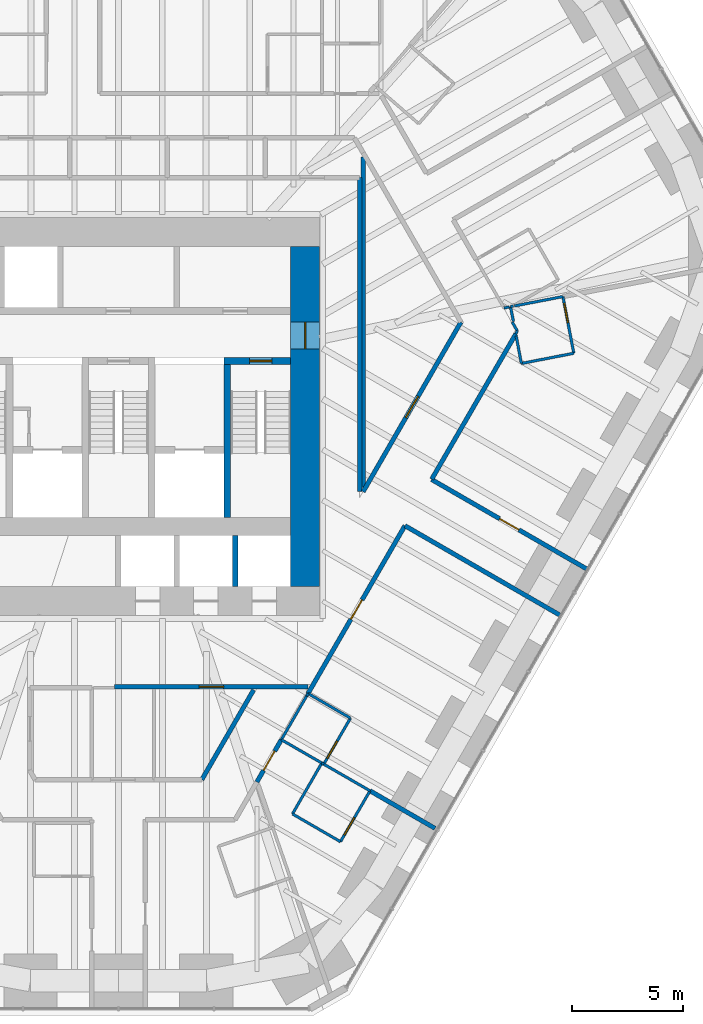
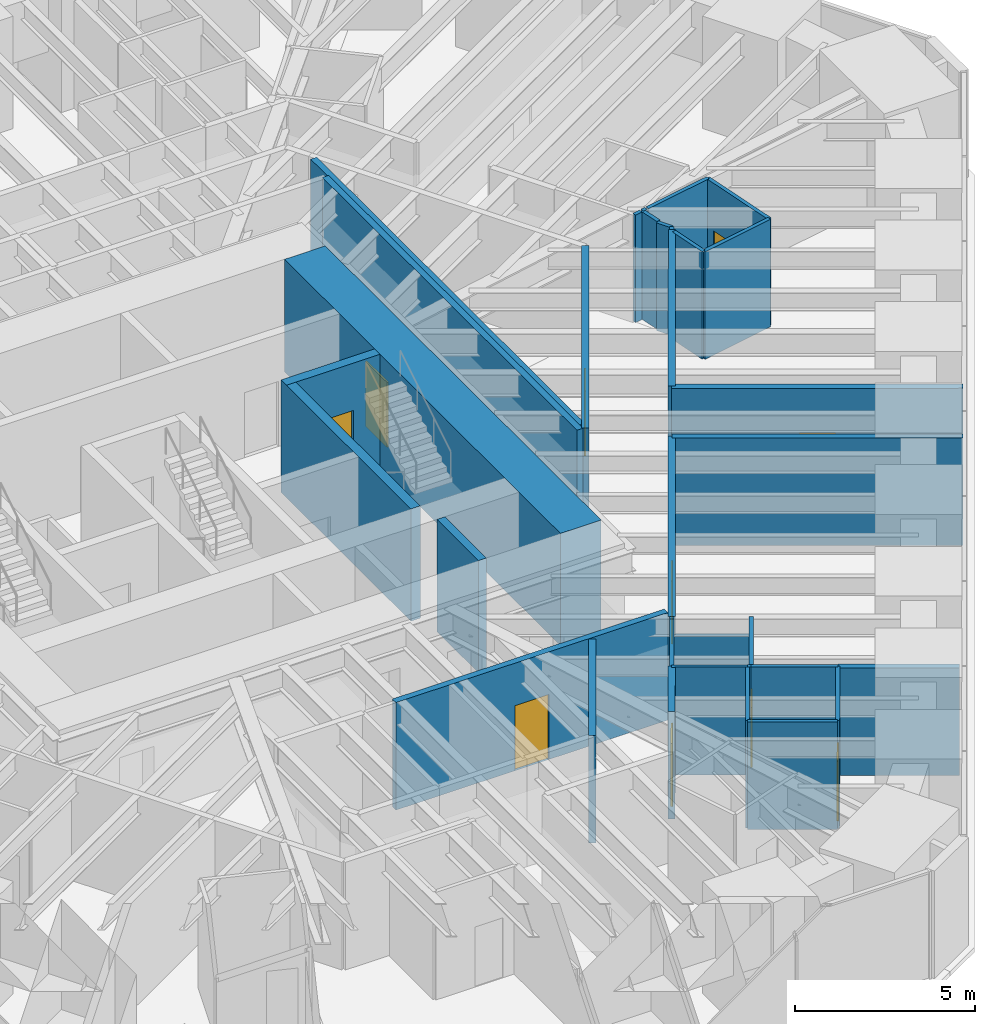
# One storey, part 13 of 17: 34 walls, 10 doors, 10 openings.
"""IFC4 building model written with IfcOpenShell, lengths in metres."""

from ifc_helpers import new_model, si_unit, direction, frame, frame_2d, origin, place, context, subcontext, project, spatial, rectangle, extrude, material, layer, layer_set, type_object, element, fill, save


model = new_model("IFC4")

# Units and contexts
model_context = context("Model", 3, precision=1e-05, world=origin(), true_north=direction((0.0, 1.0)))
body_context = subcontext(model_context, "Body", "Model", "MODEL_VIEW")
ifc_project = project(units=[si_unit("LENGTHUNIT", "METRE"), si_unit("AREAUNIT", "SQUARE_METRE"), si_unit("VOLUMEUNIT", "CUBIC_METRE"), si_unit("PLANEANGLEUNIT", "RADIAN"), si_unit("MASSUNIT", "GRAM", prefix="KILO")], contexts=[model_context])

# Site, building, storey
site_placement = place(None, origin())
site = spatial("IfcSite", under=ifc_project, at=site_placement, CompositionType="ELEMENT")
building_placement = place(site_placement, origin())
building = spatial("IfcBuilding", under=site, at=building_placement, Name="Sandreach Pilgrim Tower", CompositionType="ELEMENT")
storey_placement = place(building_placement, frame((0.0, 0.0, 100.60009765625)))
storey = spatial("IfcBuildingStorey", under=building, at=storey_placement, Name="L24", CompositionType="ELEMENT", Elevation=100.60009765625)

# Walls
ifc_material_1 = material(Name="Moisture-resistant gypsum board on steel studs", Category="steel")
ifc_layer_1 = layer(ifc_material_1, 0.1201171875)
ifc_layer_set_1 = layer_set([ifc_layer_1], Name="Bathroom partition 120")
wall_type_1 = type_object("IfcWallType", Name="Bathroom partition 120", PredefinedType="PARTITIONING", material=ifc_layer_set_1)
wall_1_placement = place(storey_placement, frame((7.330078125, -16.090087890625, 0.0), z_axis=(0.0, 0.0, 1.0), x_axis=(0.500786797394, 0.865570669302, 0.0)))
element("IfcWall", 1, at=wall_1_placement, inside=storey, type_object=wall_type_1, Name="Bathroom partition L24-106", PredefinedType="PARTITIONING", context=body_context, shape_type="SweptSolid", body=[
    extrude(rectangle(XDim=2.276123046875, YDim=0.1201171875, at=frame_2d((1.13818359375, 0.0))), origin(), (0.0, 0.0, 1.0), 3.639892578125),
])
wall_2_placement = place(storey_placement, frame((7.330078125, -16.090087890625, 0.0), z_axis=(0.0, 0.0, 1.0), x_axis=(0.86618365172, -0.499725806311, 0.0)))
element("IfcWall", 2, at=wall_2_placement, inside=storey, type_object=wall_type_1, Name="Bathroom partition L24-107", PredefinedType="PARTITIONING", context=body_context, shape_type="SweptSolid", body=[
    extrude(rectangle(XDim=2.101318359375, YDim=0.1201171875, at=frame_2d((1.05078125, 0.0))), origin(), (0.0, 0.0, 1.0), 3.639892578125),
])
wall_3_placement = place(storey_placement, frame((7.830078125, -19.429931640625, 0.0), z_axis=(0.0, 0.0, 1.0), x_axis=(0.865508881864, -0.500893576935, 0.0)))
element("IfcWall", 3, at=wall_3_placement, inside=storey, type_object=wall_type_1, Name="Bathroom partition L24-109", PredefinedType="PARTITIONING", context=body_context, shape_type="SweptSolid", body=[
    extrude(rectangle(XDim=2.49560546875, YDim=0.1201171875, at=frame_2d((1.247802734375, 0.0))), origin(), (0.0, 0.0, 1.0), 3.639892578125),
])
wall_4_placement = place(storey_placement, frame((8.469970703125, -14.1201171875, 0.0), z_axis=(0.0, 0.0, 1.0), x_axis=(0.478852130681, 0.877895572914, 0.0)))
element("IfcWall", 4, at=wall_4_placement, inside=storey, type_object=wall_type_1, Name="Bathroom partition L24-110", PredefinedType="PARTITIONING", context=body_context, shape_type="SweptSolid", body=[
    extrude(rectangle(XDim=0.12548828125, YDim=0.1201171875, at=frame_2d((0.062744140625, 0.0))), origin(), (0.0, 0.0, 1.0), 3.639892578125),
])
wall_5_placement = place(storey_placement, frame((9.14990234375, -17.139892578125, 0.0), z_axis=(0.0, 0.0, 1.0), x_axis=(-0.499338582192, -0.866406936915, 0.0)))
element("IfcWall", 5, at=wall_5_placement, inside=storey, type_object=wall_type_1, Name="Bathroom partition L24-113", PredefinedType="PARTITIONING", context=body_context, shape_type="SweptSolid", body=[
    extrude(rectangle(XDim=2.64306640625, YDim=0.1201171875, at=frame_2d((1.321533203125, 0.0))), origin(), (0.0, 0.0, 1.0), 3.639892578125),
])
wall_6_placement = place(storey_placement, frame((9.14990234375, -17.139892578125, 0.0), z_axis=(0.0, 0.0, 1.0), x_axis=(0.867366768559, -0.49766945737, 0.0)))
element("IfcWall", 6, at=wall_6_placement, inside=storey, type_object=wall_type_1, Name="Bathroom partition L24-114", PredefinedType="PARTITIONING", context=body_context, shape_type="SweptSolid", body=[
    extrude(rectangle(XDim=0.10302734375, YDim=0.1201171875, at=frame_2d((0.051513671875, 0.0))), origin(), (0.0, 0.0, 1.0), 3.639892578125),
])
wall_7_placement = place(storey_placement, frame((9.2392578125, -17.191162109375, 0.0), z_axis=(0.0, 0.0, 1.0), x_axis=(0.86649853798, -0.49917961064, 0.0)))
element("IfcWall", 7, at=wall_7_placement, inside=storey, type_object=wall_type_1, Name="Bathroom partition L24-122", PredefinedType="PARTITIONING", context=body_context, shape_type="SweptSolid", body=[
    extrude(rectangle(XDim=2.4013671875, YDim=0.1201171875, at=frame_2d((1.20068359375, 0.0))), origin(), (0.0, 0.0, 1.0), 3.639892578125),
])

# Wall, opening, door
wall_8_placement = place(storey_placement, frame((9.239990234375, -17.18994140625, 0.0), z_axis=(0.0, 0.0, 1.0), x_axis=(0.501502765098, 0.865156041763, 0.0)))
wall_8 = element("IfcWall", 8, at=wall_8_placement, inside=storey, type_object=wall_type_1, Name="Bathroom partition L24-123", PredefinedType="PARTITIONING", context=body_context, shape_type="SweptSolid", body=[
    extrude(rectangle(XDim=2.392822265625, YDim=0.1201171875, at=frame_2d((1.1962890625, 0.0))), origin(), (0.0, 0.0, 1.0), 3.639892578125),
])
opening_1_placement = place(wall_8_placement, frame((0.300048828125, 0.0, 0.0)))
opening_1 = element("IfcOpeningElement", 9, at=opening_1_placement, cuts=wall_8, Name="Opening D09-08B", PredefinedType="OPENING", context=body_context, shape_type="SweptSolid", body=[
    extrude(rectangle(XDim=0.89990234375, YDim=2.030029296875, at=frame_2d((0.449951171875, 1.01513671875))), frame((0.0, 0.06005859375, 0.0), z_axis=(0.0, -1.0, 0.0), x_axis=(1.0, 0.0, 0.0)), (0.0, 0.0, 1.0), 0.1201171875),
])
ifc_material_2 = material(Name="Timber door, steel frame", Category="steel")
door_type_1 = type_object("IfcDoorType", Name="Bathroom door", OperationType="SINGLE_SWING_LEFT", PredefinedType="DOOR", material=ifc_material_2)
door_1_placement = place(opening_1_placement, origin())
door_1 = element("IfcDoor", 10, at=door_1_placement, inside=storey, type_object=door_type_1, Name="Door 2408B", OperationType="SINGLE_SWING_LEFT", OverallHeight=2.030029296875, OverallWidth=0.89990234375, PredefinedType="DOOR", context=body_context, shape_type="SweptSolid", body=[
    extrude(rectangle(XDim=0.89990234375, YDim=2.030029296875, at=frame_2d((0.449951171875, 1.01513671875))), frame((0.0, 0.02490234375, 0.0), z_axis=(0.0, -1.0, 0.0), x_axis=(1.0, 0.0, 0.0)), (0.0, 0.0, 1.0), 0.050048828125),
])
fill(opening_1, door_1)

wall_9_placement = place(storey_placement, frame((9.989990234375, -20.679931640625, 0.0), z_axis=(0.0, 0.0, 1.0), x_axis=(0.502242265546, 0.864726954997, 0.0)))
wall_9 = element("IfcWall", 11, at=wall_9_placement, inside=storey, type_object=wall_type_1, Name="Bathroom partition L24-124", PredefinedType="PARTITIONING", context=body_context, shape_type="SweptSolid", body=[
    extrude(rectangle(XDim=2.648193359375, YDim=0.1201171875, at=frame_2d((1.32421875, 0.0))), origin(), (0.0, 0.0, 1.0), 3.639892578125),
])
opening_2_placement = place(wall_9_placement, frame((0.35009765625, 0.0, 0.0)))
opening_2 = element("IfcOpeningElement", 12, at=opening_2_placement, cuts=wall_9, Name="Opening D09-09B", PredefinedType="OPENING", context=body_context, shape_type="SweptSolid", body=[
    extrude(rectangle(XDim=0.89990234375, YDim=2.030029296875, at=frame_2d((0.449951171875, 1.01513671875))), frame((0.0, 0.06005859375, 0.0), z_axis=(0.0, -1.0, 0.0), x_axis=(1.0, 0.0, 0.0)), (0.0, 0.0, 1.0), 0.1201171875),
])
door_2_placement = place(opening_2_placement, origin())
door_2 = element("IfcDoor", 13, at=door_2_placement, inside=storey, type_object=door_type_1, Name="Door 2409B", OperationType="SINGLE_SWING_LEFT", OverallHeight=2.030029296875, OverallWidth=0.89990234375, PredefinedType="DOOR", context=body_context, shape_type="SweptSolid", body=[
    extrude(rectangle(XDim=0.89990234375, YDim=2.030029296875, at=frame_2d((0.449951171875, 1.01513671875))), frame((0.0, 0.02490234375, 0.0), z_axis=(0.0, -1.0, 0.0), x_axis=(1.0, 0.0, 0.0)), (0.0, 0.0, 1.0), 0.050048828125),
])
fill(opening_2, door_2)

# Walls
wall_10_placement = place(storey_placement, frame((10.43994140625, -15.1201171875, 0.0), z_axis=(0.0, 0.0, 1.0), x_axis=(-0.864567486339, 0.502516727647, 0.0)))
element("IfcWall", 14, at=wall_10_placement, inside=storey, type_object=wall_type_1, Name="Bathroom partition L24-125", PredefinedType="PARTITIONING", context=body_context, shape_type="SweptSolid", body=[
    extrude(rectangle(XDim=2.208984375, YDim=0.1201171875, at=frame_2d((1.1044921875, 0.0))), origin(), (0.0, 0.0, 1.0), 3.022705078125),
])
wall_11_placement = place(storey_placement, frame((17.58203125, 3.383544921875, 0.0), z_axis=(0.0, 0.0, 1.0), x_axis=(-0.982006446981, -0.18884739365, 0.0)))
element("IfcWall", 15, at=wall_11_placement, inside=storey, type_object=wall_type_1, Name="Bathroom partition L24-149", PredefinedType="PARTITIONING", context=body_context, shape_type="SweptSolid", body=[
    extrude(rectangle(XDim=0.2392578125, YDim=0.1201171875, at=frame_2d((0.11962890625, 0.0))), origin(), (0.0, 0.0, 1.0), 3.639892578125),
])
wall_12_placement = place(storey_placement, frame((17.639892578125, 3.39990234375, 0.0), z_axis=(0.0, 0.0, 1.0), x_axis=(0.988371697651, 0.152057184254, 0.0)))
element("IfcWall", 16, at=wall_12_placement, inside=storey, type_object=wall_type_1, Name="Bathroom partition L24-150", PredefinedType="PARTITIONING", context=body_context, shape_type="SweptSolid", body=[
    extrude(rectangle(XDim=0.131591796875, YDim=0.1201171875, at=frame_2d((0.06591796875, 0.0))), origin(), (0.0, 0.0, 1.0), 3.639892578125),
])
wall_13_placement = place(storey_placement, frame((17.719970703125, 2.699951171875, 0.0), z_axis=(0.0, 0.0, 1.0), x_axis=(0.498530782172, -0.866871997025, 0.0)))
element("IfcWall", 17, at=wall_13_placement, inside=storey, type_object=wall_type_1, Name="Bathroom partition L24-151", PredefinedType="PARTITIONING", context=body_context, shape_type="SweptSolid", body=[
    extrude(rectangle(XDim=0.46142578125, YDim=0.1201171875, at=frame_2d((0.230712890625, 0.0))), origin(), (0.0, 0.0, 1.0), 3.639892578125),
])
wall_14_placement = place(storey_placement, frame((17.773681640625, 2.7314453125, 0.0), z_axis=(0.0, 0.0, 1.0), x_axis=(-0.196253874553, 0.980553117747, 0.0)))
element("IfcWall", 18, at=wall_14_placement, inside=storey, type_object=wall_type_1, Name="Bathroom partition L24-153", PredefinedType="PARTITIONING", context=body_context, shape_type="SweptSolid", body=[
    extrude(rectangle(XDim=0.681640625, YDim=0.1201171875, at=frame_2d((0.3408203125, 0.0))), origin(), (0.0, 0.0, 1.0), 3.639892578125),
])
wall_15_placement = place(storey_placement, frame((17.814208984375, 3.428466796875, 0.0), z_axis=(0.0, 0.0, 1.0), x_axis=(0.981899119444, 0.189404644173, 0.0)))
element("IfcWall", 19, at=wall_15_placement, inside=storey, type_object=wall_type_1, Name="Bathroom partition L24-154", PredefinedType="PARTITIONING", context=body_context, shape_type="SweptSolid", body=[
    extrude(rectangle(XDim=2.22607421875, YDim=0.1201171875, at=frame_2d((1.113037109375, 0.0))), origin(), (0.0, 0.0, 1.0), 3.639892578125),
])
wall_16_placement = place(storey_placement, frame((17.8798828125, 2.169921875, 0.0), z_axis=(0.0, 0.0, 1.0), x_axis=(0.474099823035, 0.880471099922, 0.0)))
element("IfcWall", 20, at=wall_16_placement, inside=storey, type_object=wall_type_1, Name="Bathroom partition L24-155", PredefinedType="PARTITIONING", context=body_context, shape_type="SweptSolid", body=[
    extrude(rectangle(XDim=0.147705078125, YDim=0.1201171875, at=frame_2d((0.07373046875, 0.0))), origin(), (0.0, 0.0, 1.0), 3.639892578125),
])
wall_17_placement = place(storey_placement, frame((17.896728515625, 2.08154296875, 0.0), z_axis=(0.0, 0.0, 1.0), x_axis=(0.184580266957, -0.982817442382, 0.0)))
element("IfcWall", 21, at=wall_17_placement, inside=storey, type_object=wall_type_1, Name="Bathroom partition L24-156", PredefinedType="PARTITIONING", context=body_context, shape_type="SweptSolid", body=[
    extrude(rectangle(XDim=1.26318359375, YDim=0.1201171875, at=frame_2d((0.631591796875, 0.0))), origin(), (0.0, 0.0, 1.0), 3.639892578125),
])
wall_18_placement = place(storey_placement, frame((18.1298828125, 0.840087890625, 0.0), z_axis=(0.0, 0.0, 1.0), x_axis=(0.981533392326, 0.191290877329, 0.0)))
element("IfcWall", 22, at=wall_18_placement, inside=storey, type_object=wall_type_1, Name="Bathroom partition L24-157", PredefinedType="PARTITIONING", context=body_context, shape_type="SweptSolid", body=[
    extrude(rectangle(XDim=2.404541015625, YDim=0.1201171875, at=frame_2d((1.2021484375, 0.0))), origin(), (0.0, 0.0, 1.0), 3.639892578125),
])

# Wall, opening, door
wall_19_placement = place(storey_placement, frame((20.489990234375, 1.300048828125, 0.0), z_axis=(0.0, 0.0, 1.0), x_axis=(-0.188697442844, 0.982035271802, 0.0)))
wall_19 = element("IfcWall", 23, at=wall_19_placement, inside=storey, type_object=wall_type_1, Name="Bathroom partition L24-161", PredefinedType="PARTITIONING", context=body_context, shape_type="SweptSolid", body=[
    extrude(rectangle(XDim=2.5966796875, YDim=0.1201171875, at=frame_2d((1.29833984375, 0.0))), origin(), (0.0, 0.0, 1.0), 3.639892578125),
])
opening_3_placement = place(wall_19_placement, frame((1.396728515625, 0.0, 0.0)))
opening_3 = element("IfcOpeningElement", 24, at=opening_3_placement, cuts=wall_19, Name="Opening D09-07B", PredefinedType="OPENING", context=body_context, shape_type="SweptSolid", body=[
    extrude(rectangle(XDim=0.89990234375, YDim=2.030029296875, at=frame_2d((0.449951171875, 1.01513671875))), frame((0.0, 0.06005859375, 0.0), z_axis=(0.0, -1.0, 0.0), x_axis=(1.0, 0.0, 0.0)), (0.0, 0.0, 1.0), 0.1201171875),
])
door_3_placement = place(opening_3_placement, origin())
door_3 = element("IfcDoor", 25, at=door_3_placement, inside=storey, type_object=door_type_1, Name="Door 2407B", OperationType="SINGLE_SWING_RIGHT", OverallHeight=2.030029296875, OverallWidth=0.89990234375, PredefinedType="DOOR", context=body_context, shape_type="SweptSolid", body=[
    extrude(rectangle(XDim=0.89990234375, YDim=2.030029296875, at=frame_2d((0.449951171875, 1.01513671875))), frame((0.0, 0.02490234375, 0.0), z_axis=(0.0, -1.0, 0.0), x_axis=(1.0, 0.0, 0.0)), (0.0, 0.0, 1.0), 0.050048828125),
])
fill(opening_3, door_3)

# Wall
ifc_material_3 = material(Name="Concrete 10000 psi", Category="concrete")
ifc_layer_2 = layer(ifc_material_3, 0.300048828125)
ifc_layer_set_2 = layer_set([ifc_layer_2], Name="Core inner wall 300")
wall_type_2 = type_object("IfcWallType", Name="Core inner wall 300", PredefinedType="SHEAR", material=ifc_layer_set_2)
wall_20_placement = place(storey_placement, frame((4.89990234375, -6.10009765625, 0.0), z_axis=(0.0, 0.0, 1.0), x_axis=(0.0, 1.0, 0.0)))
element("IfcWall", 26, at=wall_20_placement, inside=storey, type_object=wall_type_2, Name="Core wall I3 L24", PredefinedType="SHEAR", context=body_context, shape_type="SweptSolid", body=[
    extrude(rectangle(XDim=7.2001953125, YDim=0.300048828125, at=frame_2d((3.60009765625, 0.0))), origin(), (0.0, 0.0, 1.0), 3.7998046875),
])

# Wall, opening, door
wall_21_placement = place(storey_placement, frame((4.75, 0.949951171875, 0.0), z_axis=(0.0, 0.0, 1.0), x_axis=(1.0, 0.0, 0.0)))
wall_21 = element("IfcWall", 27, at=wall_21_placement, inside=storey, type_object=wall_type_2, Name="Core wall SN2 L24", PredefinedType="SHEAR", context=body_context, shape_type="SweptSolid", body=[
    extrude(rectangle(XDim=3.0, YDim=0.300048828125, at=frame_2d((1.5, 0.0))), origin(), (0.0, 0.0, 1.0), 3.7998046875),
])
opening_4_placement = place(wall_21_placement, frame((1.14990234375, 0.0, 0.0)))
opening_4 = element("IfcOpeningElement", 28, at=opening_4_placement, cuts=wall_21, Name="Opening D10S-ST2", PredefinedType="OPENING", context=body_context, shape_type="SweptSolid", body=[
    extrude(rectangle(XDim=1.0, YDim=2.199951171875, at=frame_2d((0.5, 1.10009765625))), frame((0.0, 0.14990234375, 0.0), z_axis=(0.0, -1.0, 0.0), x_axis=(1.0, 0.0, 0.0)), (0.0, 0.0, 1.0), 0.300048828125),
])
ifc_material_4 = material(Name="Steel door and frame", Category="steel")
door_type_2 = type_object("IfcDoorType", Name="Stair door", OperationType="SINGLE_SWING_LEFT", PredefinedType="DOOR", material=ifc_material_4)
door_4_placement = place(opening_4_placement, origin())
door_4 = element("IfcDoor", 29, at=door_4_placement, inside=storey, type_object=door_type_2, Name="Stair door ST2 L24", OperationType="SINGLE_SWING_RIGHT", OverallHeight=2.199951171875, OverallWidth=1.0, PredefinedType="DOOR", context=body_context, shape_type="SweptSolid", body=[
    extrude(rectangle(XDim=1.0, YDim=2.199951171875, at=frame_2d((0.5, 1.10009765625))), frame((0.0, 0.02490234375, 0.0), z_axis=(0.0, -1.0, 0.0), x_axis=(1.0, 0.0, 0.0)), (0.0, 0.0, 1.0), 0.050048828125),
])
fill(opening_4, door_4)

ifc_material_5 = material(Name="Concrete 10000 psi", Category="concrete")
ifc_layer_3 = layer(ifc_material_5, 1.300048828125)
ifc_layer_set_3 = layer_set([ifc_layer_3], Name="Core wall 1300")
wall_type_3 = type_object("IfcWallType", Name="Core wall 1300", PredefinedType="SHEAR", material=ifc_layer_set_3)
wall_22_placement = place(storey_placement, frame((8.39990234375, -9.199951171875, 0.0), z_axis=(0.0, 0.0, 1.0), x_axis=(0.0, 1.0, 0.0)))
wall_22 = element("IfcWall", 30, at=wall_22_placement, inside=storey, type_object=wall_type_3, Name="Core wall E L24", PredefinedType="SHEAR", context=body_context, shape_type="SweptSolid", body=[
    extrude(rectangle(XDim=15.300048828125, YDim=1.300048828125, at=frame_2d((7.64990234375, 0.0))), origin(), (0.0, 0.0, 1.0), 3.7998046875),
])
opening_5_placement = place(wall_22_placement, frame((10.699951171875, 0.0, 0.0)))
opening_5 = element("IfcOpeningElement", 31, at=opening_5_placement, cuts=wall_22, Name="Opening D12F-E", PredefinedType="OPENING", context=body_context, shape_type="SweptSolid", body=[
    extrude(rectangle(XDim=1.199951171875, YDim=2.199951171875, at=frame_2d((0.60009765625, 1.10009765625))), frame((0.0, 0.64990234375, 0.0), z_axis=(0.0, -1.0, 0.0), x_axis=(1.0, 0.0, 0.0)), (0.0, 0.0, 1.0), 1.300048828125),
])
ifc_material_6 = material(Name="Steel door and frame", Category="steel")
door_type_3 = type_object("IfcDoorType", Name="Fire lobby door", OperationType="SINGLE_SWING_LEFT", PredefinedType="DOOR", material=ifc_material_6)
door_5_placement = place(opening_5_placement, origin())
door_5 = element("IfcDoor", 32, at=door_5_placement, inside=storey, type_object=door_type_3, Name="Fire service lobby door E L24", OperationType="SINGLE_SWING_RIGHT", OverallHeight=2.199951171875, OverallWidth=1.199951171875, PredefinedType="DOOR", context=body_context, shape_type="SweptSolid", body=[
    extrude(rectangle(XDim=1.199951171875, YDim=2.199951171875, at=frame_2d((0.60009765625, 1.10009765625))), frame((0.0, 0.02490234375, 0.0), z_axis=(0.0, -1.0, 0.0), x_axis=(1.0, 0.0, 0.0)), (0.0, 0.0, 1.0), 0.050048828125),
])
fill(opening_5, door_5)

# Wall
ifc_material_7 = material(Name="Gypsum board on steel studs, two layers each side", Category="steel")
ifc_layer_4 = layer(ifc_material_7, 0.199951171875)
ifc_layer_set_4 = layer_set([ifc_layer_4], Name="Corridor wall 200")
wall_type_4 = type_object("IfcWallType", Name="Corridor wall 200", PredefinedType="PARTITIONING", material=ifc_layer_set_4)
wall_23_placement = place(storey_placement, frame((6.08251953125, -13.849609375, 0.0), z_axis=(0.0, 0.0, 1.0), x_axis=(-0.499977643516, -0.866038310922, 0.0)))
element("IfcWall", 33, at=wall_23_placement, inside=storey, type_object=wall_type_4, Name="Corridor wall L24-096", PredefinedType="PARTITIONING", context=body_context, shape_type="SweptSolid", body=[
    extrude(rectangle(XDim=4.665283203125, YDim=0.199951171875, at=frame_2d((2.33251953125, 0.0))), origin(), (0.0, 0.0, 1.0), 3.639892578125),
])

# Wall, opening, door
wall_24_placement = place(storey_placement, frame((6.22998046875, -17.989990234375, 0.0), z_axis=(0.0, 0.0, 1.0), x_axis=(0.501088872721, 0.865395829453, 0.0)))
wall_24 = element("IfcWall", 34, at=wall_24_placement, inside=storey, type_object=wall_type_4, Name="Corridor wall L24-097", PredefinedType="PARTITIONING", context=body_context, shape_type="SweptSolid", body=[
    extrude(rectangle(XDim=2.1953125, YDim=0.199951171875, at=frame_2d((1.09765625, 0.0))), origin(), (0.0, 0.0, 1.0), 3.639892578125),
])
opening_6_placement = place(wall_24_placement, frame((0.59765625, 0.0, 0.0)))
opening_6 = element("IfcOpeningElement", 35, at=opening_6_placement, cuts=wall_24, Name="Opening D10-09", PredefinedType="OPENING", context=body_context, shape_type="SweptSolid", body=[
    extrude(rectangle(XDim=1.0, YDim=2.1298828125, at=frame_2d((0.5, 1.06494140625))), frame((0.0, 0.10009765625, 0.0), z_axis=(0.0, -1.0, 0.0), x_axis=(1.0, 0.0, 0.0)), (0.0, 0.0, 1.0), 0.199951171875),
])
ifc_material_8 = material(Name="Steel door and frame", Category="steel")
door_type_4 = type_object("IfcDoorType", Name="Guest room entry door", OperationType="SINGLE_SWING_LEFT", PredefinedType="DOOR", material=ifc_material_8)
door_6_placement = place(opening_6_placement, origin())
door_6 = element("IfcDoor", 36, at=door_6_placement, inside=storey, type_object=door_type_4, Name="Door 2409", OperationType="SINGLE_SWING_LEFT", OverallHeight=2.1298828125, OverallWidth=1.0, PredefinedType="DOOR", context=body_context, shape_type="SweptSolid", body=[
    extrude(rectangle(XDim=1.0, YDim=2.1298828125, at=frame_2d((0.5, 1.06494140625))), frame((0.0, 0.02490234375, 0.0), z_axis=(0.0, -1.0, 0.0), x_axis=(1.0, 0.0, 0.0)), (0.0, 0.0, 1.0), 0.050048828125),
])
fill(opening_6, door_6)

wall_25_placement = place(storey_placement, frame((8.530029296875, -14.010009765625, 0.0), z_axis=(0.0, 0.0, 1.0), x_axis=(0.500072306674, 0.865983653482, 0.0)))
wall_25 = element("IfcWall", 37, at=wall_25_placement, inside=storey, type_object=wall_type_4, Name="Corridor wall L24-111", PredefinedType="PARTITIONING", context=body_context, shape_type="SweptSolid", body=[
    extrude(rectangle(XDim=8.718505859375, YDim=0.199951171875, at=frame_2d((4.359375, 0.0))), origin(), (0.0, 0.0, 1.0), 3.639892578125),
])
opening_7_placement = place(wall_25_placement, frame((3.859375, 0.0, 0.0)))
opening_7 = element("IfcOpeningElement", 38, at=opening_7_placement, cuts=wall_25, Name="Opening D10-08", PredefinedType="OPENING", context=body_context, shape_type="SweptSolid", body=[
    extrude(rectangle(XDim=1.0, YDim=2.1298828125, at=frame_2d((0.5, 1.06494140625))), frame((0.0, 0.10009765625, 0.0), z_axis=(0.0, -1.0, 0.0), x_axis=(1.0, 0.0, 0.0)), (0.0, 0.0, 1.0), 0.199951171875),
])
door_7_placement = place(opening_7_placement, origin())
door_7 = element("IfcDoor", 39, at=door_7_placement, inside=storey, type_object=door_type_4, Name="Door 2408", OperationType="SINGLE_SWING_LEFT", OverallHeight=2.1298828125, OverallWidth=1.0, PredefinedType="DOOR", context=body_context, shape_type="SweptSolid", body=[
    extrude(rectangle(XDim=1.0, YDim=2.1298828125, at=frame_2d((0.5, 1.06494140625))), frame((0.0, 0.02490234375, 0.0), z_axis=(0.0, -1.0, 0.0), x_axis=(1.0, 0.0, 0.0)), (0.0, 0.0, 1.0), 0.050048828125),
])
fill(opening_7, door_7)

wall_26_placement = place(storey_placement, frame((8.53369140625, -13.699951171875, 0.0), z_axis=(0.0, 0.0, 1.0), x_axis=(-1.0, 0.0, 0.0)))
wall_26 = element("IfcWall", 40, at=wall_26_placement, inside=storey, type_object=wall_type_4, Name="Corridor wall L24-112", PredefinedType="PARTITIONING", context=body_context, shape_type="SweptSolid", body=[
    extrude(rectangle(XDim=8.70361328125, YDim=0.199951171875, at=frame_2d((4.351806640625, 0.0))), origin(), (0.0, 0.0, 1.0), 3.639892578125),
])
opening_8_placement = place(wall_26_placement, frame((3.8017578125, 0.0, 0.0)))
opening_8 = element("IfcOpeningElement", 41, at=opening_8_placement, cuts=wall_26, Name="Opening D11H-S4", PredefinedType="OPENING", context=body_context, shape_type="SweptSolid", body=[
    extrude(rectangle(XDim=1.10009765625, YDim=2.199951171875, at=frame_2d((0.550048828125, 1.10009765625))), frame((0.0, 0.10009765625, 0.0), z_axis=(0.0, -1.0, 0.0), x_axis=(1.0, 0.0, 0.0)), (0.0, 0.0, 1.0), 0.199951171875),
])
ifc_material_9 = material(Name="Steel door and frame", Category="steel")
door_type_5 = type_object("IfcDoorType", Name="Back of house door", OperationType="SINGLE_SWING_LEFT", PredefinedType="DOOR", material=ifc_material_9)
door_8_placement = place(opening_8_placement, origin())
door_8 = element("IfcDoor", 42, at=door_8_placement, inside=storey, type_object=door_type_5, Name="Door 24S4", OperationType="SINGLE_SWING_LEFT", OverallHeight=2.199951171875, OverallWidth=1.10009765625, PredefinedType="DOOR", context=body_context, shape_type="SweptSolid", body=[
    extrude(rectangle(XDim=1.10009765625, YDim=2.199951171875, at=frame_2d((0.550048828125, 1.10009765625))), frame((0.0, 0.02490234375, 0.0), z_axis=(0.0, -1.0, 0.0), x_axis=(1.0, 0.0, 0.0)), (0.0, 0.0, 1.0), 0.050048828125),
])
fill(opening_8, door_8)

# Walls
wall_27_placement = place(storey_placement, frame((10.85009765625, -4.909912109375, 0.0), z_axis=(0.0, 0.0, 1.0), x_axis=(0.0, 1.0, 0.0)))
element("IfcWall", 43, at=wall_27_placement, inside=storey, type_object=wall_type_4, Name="Corridor wall L24-128", PredefinedType="PARTITIONING", context=body_context, shape_type="SweptSolid", body=[
    extrude(rectangle(XDim=14.10986328125, YDim=0.199951171875, at=frame_2d((7.054931640625, 0.0))), origin(), (0.0, 0.0, 1.0), 3.639892578125),
])
wall_28_placement = place(storey_placement, frame((12.898681640625, -6.465087890625, 0.0), z_axis=(0.0, 0.0, 1.0), x_axis=(0.866184578051, -0.499724200681, 0.0)))
element("IfcWall", 44, at=wall_28_placement, inside=storey, type_object=wall_type_4, Name="Corridor wall L24-139", PredefinedType="PARTITIONING", context=body_context, shape_type="SweptSolid", body=[
    extrude(rectangle(XDim=8.064453125, YDim=0.199951171875, at=frame_2d((4.0322265625, 0.0))), origin(), (0.0, 0.0, 1.0), 3.639892578125),
])
wall_29_placement = place(storey_placement, frame((14.097412109375, -4.366943359375, 0.0), z_axis=(0.0, 0.0, 1.0), x_axis=(0.500859137679, 0.865528811885, 0.0)))
element("IfcWall", 45, at=wall_29_placement, inside=storey, type_object=wall_type_4, Name="Corridor wall L24-143", PredefinedType="PARTITIONING", context=body_context, shape_type="SweptSolid", body=[
    extrude(rectangle(XDim=7.552490234375, YDim=0.199951171875, at=frame_2d((3.7763671875, 0.0))), origin(), (0.0, 0.0, 1.0), 3.639892578125),
])

# Wall, opening, door
wall_30_placement = place(storey_placement, frame((15.409912109375, 2.699951171875, 0.0), z_axis=(0.0, 0.0, 1.0), x_axis=(-0.499556067326, -0.866281556769, 0.0)))
wall_30 = element("IfcWall", 46, at=wall_30_placement, inside=storey, type_object=wall_type_4, Name="Corridor wall L24-147", PredefinedType="PARTITIONING", context=body_context, shape_type="SweptSolid", body=[
    extrude(rectangle(XDim=8.8076171875, YDim=0.199951171875, at=frame_2d((4.40380859375, 0.0))), origin(), (0.0, 0.0, 1.0), 3.639892578125),
])
opening_9_placement = place(wall_30_placement, frame((3.85400390625, 0.0, 0.0)))
opening_9 = element("IfcOpeningElement", 47, at=opening_9_placement, cuts=wall_30, Name="Opening D11H-M07", PredefinedType="OPENING", context=body_context, shape_type="SweptSolid", body=[
    extrude(rectangle(XDim=1.10009765625, YDim=2.199951171875, at=frame_2d((0.550048828125, 1.10009765625))), frame((0.0, 0.10009765625, 0.0), z_axis=(0.0, -1.0, 0.0), x_axis=(1.0, 0.0, 0.0)), (0.0, 0.0, 1.0), 0.199951171875),
])
door_9_placement = place(opening_9_placement, origin())
door_9 = element("IfcDoor", 48, at=door_9_placement, inside=storey, type_object=door_type_5, Name="Door 24M07", OperationType="SINGLE_SWING_LEFT", OverallHeight=2.199951171875, OverallWidth=1.10009765625, PredefinedType="DOOR", context=body_context, shape_type="SweptSolid", body=[
    extrude(rectangle(XDim=1.10009765625, YDim=2.199951171875, at=frame_2d((0.550048828125, 1.10009765625))), frame((0.0, 0.02490234375, 0.0), z_axis=(0.0, -1.0, 0.0), x_axis=(1.0, 0.0, 0.0)), (0.0, 0.0, 1.0), 0.050048828125),
])
fill(opening_9, door_9)

wall_31_placement = place(storey_placement, frame((21.083984375, -8.4150390625, 0.0), z_axis=(0.0, 0.0, 1.0), x_axis=(-0.866174008169, 0.499742521277, 0.0)))
wall_31 = element("IfcWall", 49, at=wall_31_placement, inside=storey, type_object=wall_type_4, Name="Corridor wall L24-162", PredefinedType="PARTITIONING", context=body_context, shape_type="SweptSolid", body=[
    extrude(rectangle(XDim=8.074462890625, YDim=0.199951171875, at=frame_2d((4.037109375, 0.0))), origin(), (0.0, 0.0, 1.0), 3.639892578125),
])
opening_10_placement = place(wall_31_placement, frame((3.537353515625, 0.0, 0.0)))
opening_10 = element("IfcOpeningElement", 50, at=opening_10_placement, cuts=wall_31, Name="Opening D10-07", PredefinedType="OPENING", context=body_context, shape_type="SweptSolid", body=[
    extrude(rectangle(XDim=1.0, YDim=2.1298828125, at=frame_2d((0.5, 1.06494140625))), frame((0.0, 0.10009765625, 0.0), z_axis=(0.0, -1.0, 0.0), x_axis=(1.0, 0.0, 0.0)), (0.0, 0.0, 1.0), 0.199951171875),
])
door_10_placement = place(opening_10_placement, origin())
door_10 = element("IfcDoor", 51, at=door_10_placement, inside=storey, type_object=door_type_4, Name="Door 2407", OperationType="SINGLE_SWING_LEFT", OverallHeight=2.1298828125, OverallWidth=1.0, PredefinedType="DOOR", context=body_context, shape_type="SweptSolid", body=[
    extrude(rectangle(XDim=1.0, YDim=2.1298828125, at=frame_2d((0.5, 1.06494140625))), frame((0.0, 0.02490234375, 0.0), z_axis=(0.0, -1.0, 0.0), x_axis=(1.0, 0.0, 0.0)), (0.0, 0.0, 1.0), 0.050048828125),
])
fill(opening_10, door_10)

# Walls
ifc_material_10 = material(Name="Double steel stud acoustic wall, gypsum board", Category="steel")
ifc_layer_5 = layer(ifc_material_10, 0.199951171875)
ifc_layer_set_5 = layer_set([ifc_layer_5], Name="Party wall 200")
wall_type_5 = type_object("IfcWallType", Name="Party wall 200", PredefinedType="PARTITIONING", material=ifc_layer_set_5)
wall_32_placement = place(storey_placement, frame((11.010009765625, 10.125, 0.0), z_axis=(0.0, 0.0, 1.0), x_axis=(0.0, -1.0, 0.0)))
element("IfcWall", 52, at=wall_32_placement, inside=storey, type_object=wall_type_5, Name="Party wall L24-129", PredefinedType="PARTITIONING", context=body_context, shape_type="SweptSolid", body=[
    extrude(rectangle(XDim=14.85498046875, YDim=0.199951171875, at=frame_2d((7.427490234375, 0.0))), origin(), (0.0, 0.0, 1.0), 3.639892578125),
])
wall_33_placement = place(storey_placement, frame((11.320068359375, -18.389892578125, 0.0), z_axis=(0.0, 0.0, 1.0), x_axis=(0.865917229834, -0.50018731599, 0.0)))
element("IfcWall", 53, at=wall_33_placement, inside=storey, type_object=wall_type_5, Name="Party wall L24-133", PredefinedType="PARTITIONING", context=body_context, shape_type="SweptSolid", body=[
    extrude(rectangle(XDim=3.379150390625, YDim=0.199951171875, at=frame_2d((1.689453125, 0.0))), origin(), (0.0, 0.0, 1.0), 3.639892578125),
])
ifc_material_11 = material(Name="Gypsum shaft wall on steel studs, two layers of shaft liner board", Category="steel")
ifc_layer_6 = layer(ifc_material_11, 0.25)
ifc_layer_set_6 = layer_set([ifc_layer_6], Name="Shaft partition 250")
wall_type_6 = type_object("IfcWallType", Name="Shaft partition 250", PredefinedType="PARTITIONING", material=ifc_layer_set_6)
wall_34_placement = place(storey_placement, frame((5.25, -9.199951171875, 0.0), z_axis=(0.0, 0.0, 1.0), x_axis=(0.0, 1.0, 0.0)))
element("IfcWall", 54, at=wall_34_placement, inside=storey, type_object=wall_type_6, Name="Shaft partition XS4 L24", PredefinedType="PARTITIONING", context=body_context, shape_type="SweptSolid", body=[
    extrude(rectangle(XDim=2.300048828125, YDim=0.25, at=frame_2d((1.14990234375, 0.0))), origin(), (0.0, 0.0, 1.0), 3.7998046875),
])

save(model, "model.ifc")
